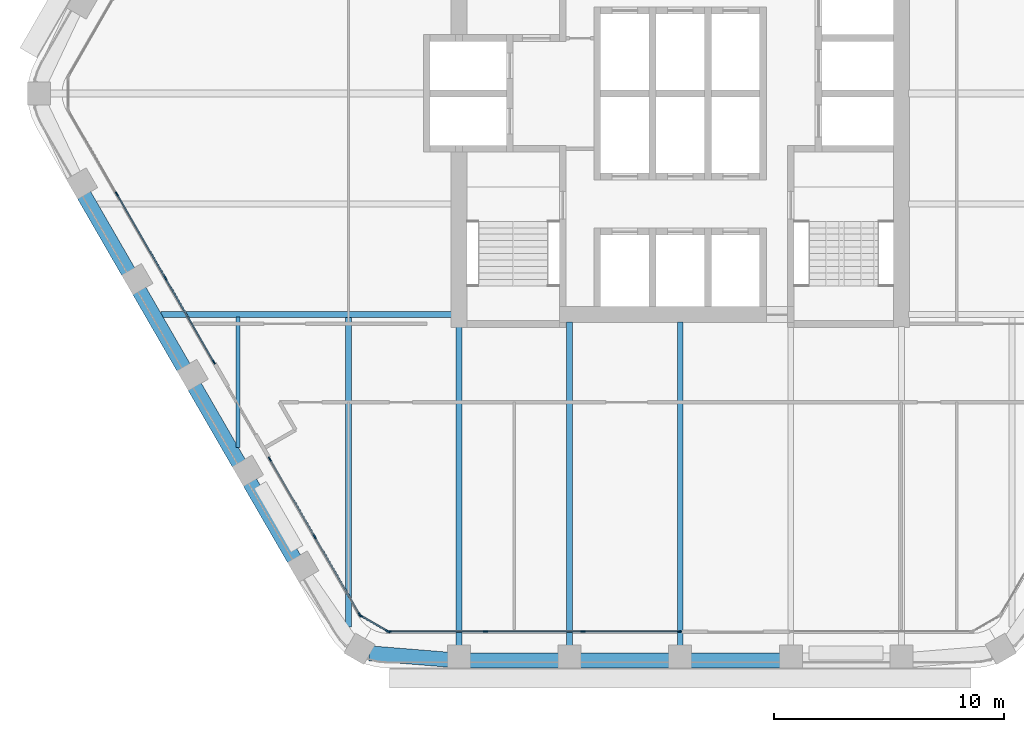
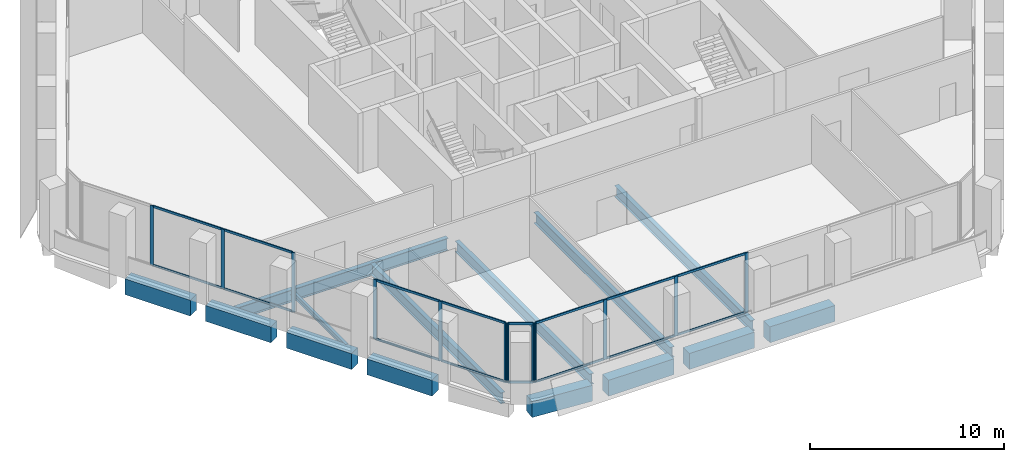
# One storey, part 2 of 15: 28 members, 14 beams, 4 elements without a shape of their own.
"""IFC4 building model written with IfcOpenShell, lengths in metres."""

from ifc_helpers import new_model, si_unit, direction, frame, origin, origin_2d, place, context, subcontext, project, spatial, rectangle, i_section, extrude, material, material_profile, profile_set, type_object, element, aggregate, save


model = new_model("IFC4")

# Units and contexts
model_context = context("Model", 3, precision=1e-05, world=origin(), true_north=direction((0.0, 1.0)))
body_context = subcontext(model_context, "Body", "Model", "MODEL_VIEW")
ifc_project = project(units=[si_unit("LENGTHUNIT", "METRE"), si_unit("AREAUNIT", "SQUARE_METRE"), si_unit("VOLUMEUNIT", "CUBIC_METRE"), si_unit("PLANEANGLEUNIT", "RADIAN"), si_unit("MASSUNIT", "GRAM", prefix="KILO")], contexts=[model_context])

# Site, building, storey
site_placement = place(None, origin())
site = spatial("IfcSite", under=ifc_project, at=site_placement, CompositionType="ELEMENT")
building_placement = place(site_placement, origin())
building = spatial("IfcBuilding", under=site, at=building_placement, Name="Kolab Exchange Tower", CompositionType="ELEMENT")
storey_placement = place(building_placement, frame((0.0, 0.0, 154.39990234375)))
storey = spatial("IfcBuildingStorey", under=building, at=storey_placement, Name="L31", CompositionType="ELEMENT", Elevation=154.39990234375)

# Beams
ifc_material_1 = material(Name="Steel S355", Category="steel")
ifc_material_profile_1 = material_profile(ifc_material_1, i_section(OverallWidth=0.1650390625, OverallDepth=0.31005859375, WebThickness=0.005859375, FlangeThickness=0.009765625, at=origin_2d()), Name="W310X39")
ifc_profile_set_1 = profile_set([ifc_material_profile_1], Name="Steel S355")
beam_type_1 = type_object("IfcBeamType", Name="FLOOR BEAM W310X39", PredefinedType="BEAM", material=ifc_profile_set_1)
beam_1_placement = place(storey_placement, frame((-19.199951171875, -15.36767578125, -0.304931640625), z_axis=(0.0, 1.0, 0.0), x_axis=(-1.0, 0.0, 0.0)))
element("IfcBeam", 1, at=beam_1_placement, inside=storey, type_object=beam_type_1, Name="beam/L31/fr/003", PredefinedType="BEAM", context=body_context, shape_type="SweptSolid", body=[
    extrude(i_section(OverallWidth=0.1650390625, OverallDepth=0.31005859375, WebThickness=0.005859375, FlangeThickness=0.009765625, at=origin_2d()), origin(), (0.0, 0.0, 1.0), 5.674072265625),
])
ifc_material_profile_2 = material_profile(ifc_material_1, i_section(OverallWidth=0.25390625, OverallDepth=0.68408203125, WebThickness=0.012451171875, FlangeThickness=0.018798828125, at=origin_2d()), Name="W690X140")
ifc_profile_set_2 = profile_set([ifc_material_profile_2], Name="Steel S355")
beam_type_2 = type_object("IfcBeamType", Name="FLOOR BEAM W690X140", PredefinedType="BEAM", material=ifc_profile_set_2)
beam_2_placement = place(storey_placement, frame((-14.39990234375, -23.15576171875, -0.491943359375), z_axis=(0.0, 1.0, 0.0), x_axis=(-1.0, 0.0, 0.0)))
element("IfcBeam", 2, at=beam_2_placement, inside=storey, type_object=beam_type_2, Name="beam/L31/fr/005", PredefinedType="BEAM", context=body_context, shape_type="SweptSolid", body=[
    extrude(i_section(OverallWidth=0.25390625, OverallDepth=0.68408203125, WebThickness=0.012451171875, FlangeThickness=0.018798828125, at=origin_2d()), origin(), (0.0, 0.0, 1.0), 13.462158203125),
])
beam_3_placement = place(storey_placement, frame((-9.60009765625, -23.9814453125, -0.491943359375), z_axis=(0.0, 1.0, 0.0), x_axis=(-1.0, 0.0, 0.0)))
element("IfcBeam", 3, at=beam_3_placement, inside=storey, type_object=beam_type_2, Name="beam/L31/fr/007", PredefinedType="BEAM", context=body_context, shape_type="SweptSolid", body=[
    extrude(i_section(OverallWidth=0.25390625, OverallDepth=0.68408203125, WebThickness=0.012451171875, FlangeThickness=0.018798828125, at=origin_2d()), origin(), (0.0, 0.0, 1.0), 13.871337890625),
])
for number, where, z_axis, x_axis, name in (
    (4, (-4.800048828125, -23.9814453125, -0.491943359375), (0.0, 1.0, 0.0), (-1.0, 0.0, 0.0), "beam/L31/fr/009"),
    (5, (0.0, -23.9814453125, -0.491943359375), (0.0, 1.0, 0.0), (-1.0, 0.0, 0.0), "beam/L31/fr/011"),
):
    element("IfcBeam", number, at=place(storey_placement, frame(where, z_axis=z_axis, x_axis=x_axis)), inside=storey, type_object=beam_type_2, Name=name, PredefinedType="BEAM", context=body_context, shape_type="SweptSolid", body=[
        extrude(i_section(OverallWidth=0.25390625, OverallDepth=0.68408203125, WebThickness=0.012451171875, FlangeThickness=0.018798828125, at=origin_2d()), origin(), (0.0, 0.0, 1.0), 14.071533203125),
    ])
ifc_material_profile_3 = material_profile(ifc_material_1, i_section(OverallWidth=0.26708984375, OverallDepth=0.761962890625, WebThickness=0.014404296875, FlangeThickness=0.021484375, at=origin_2d()), Name="W760X173")
ifc_profile_set_3 = profile_set([ifc_material_profile_3], Name="Steel S355")
beam_type_3 = type_object("IfcBeamType", Name="FLOOR GIRDER W760X173", PredefinedType="BEAM", material=ifc_profile_set_3)
beam_4_placement = place(storey_placement, frame((-22.546875, -9.60009765625, -0.531005859375), z_axis=(1.0, 0.0, 0.0), x_axis=(0.0, 1.0, 0.0)))
element("IfcBeam", 6, at=beam_4_placement, inside=storey, type_object=beam_type_3, Name="beam/L31/gd/000", PredefinedType="BEAM", context=body_context, shape_type="SweptSolid", body=[
    extrude(i_section(OverallWidth=0.26708984375, OverallDepth=0.761962890625, WebThickness=0.014404296875, FlangeThickness=0.021484375, at=origin_2d()), origin(), (0.0, 0.0, 1.0), 12.636962890625),
])
ifc_material_2 = material(Name="Concrete C60/75", Category="concrete")
ifc_material_profile_4 = material_profile(ifc_material_2, rectangle(XDim=0.64990234375, YDim=1.0, at=origin_2d()), Name="RC650X1000")
ifc_profile_set_4 = profile_set([ifc_material_profile_4], Name="Concrete C60/75")
beam_type_4 = type_object("IfcBeamType", Name="SPANDREL BEAM 650X1000 C60/75", PredefinedType="BEAM", material=ifc_profile_set_4)
for number, where, z_axis, x_axis, name in (
    (7, (4.340087890625, -24.616455078125, -0.64990234375), (-1.0, 0.0, 0.0), (0.0, -1.0, 0.0), "beam/L31/sp/F4-03"),
    (8, (-0.4599609375, -24.616455078125, -0.64990234375), (-1.0, 0.0, 0.0), (0.0, -1.0, 0.0), "beam/L31/sp/F4-04"),
):
    element("IfcBeam", number, at=place(storey_placement, frame(where, z_axis=z_axis, x_axis=x_axis)), inside=storey, type_object=beam_type_4, Name=name, PredefinedType="BEAM", context=body_context, shape_type="SweptSolid", body=[
        extrude(rectangle(XDim=0.64990234375, YDim=1.0, at=origin_2d()), origin(), (0.0, 0.0, 1.0), 3.880126953125),
    ])
beam_5_placement = place(storey_placement, frame((-5.260009765625, -24.616455078125, -0.64990234375), z_axis=(-1.0, 0.0, 0.0), x_axis=(0.0, -1.0, 0.0)))
element("IfcBeam", 9, at=beam_5_placement, inside=storey, type_object=beam_type_4, Name="beam/L31/sp/F4-05", PredefinedType="BEAM", context=body_context, shape_type="SweptSolid", body=[
    extrude(rectangle(XDim=0.64990234375, YDim=1.0, at=origin_2d()), origin(), (0.0, 0.0, 1.0), 3.8798828125),
])
beam_6_placement = place(storey_placement, frame((-10.06005859375, -24.5791015625, -0.64990234375), z_axis=(-0.996708497182, 0.081068931445, 0.0), x_axis=(-0.081068931445, -0.996708497182, 0.0)))
element("IfcBeam", 10, at=beam_6_placement, inside=storey, type_object=beam_type_4, Name="beam/L31/sp/F4-06", PredefinedType="BEAM", context=body_context, shape_type="SweptSolid", body=[
    extrude(rectangle(XDim=0.64990234375, YDim=1.0, at=origin_2d()), origin(), (0.0, 0.0, 1.0), 3.445068359375),
])
beam_7_placement = place(storey_placement, frame((-16.74853515625, -20.2236328125, -0.64990234375), z_axis=(-0.499996613652, 0.866027358884, 0.0), x_axis=(-0.866027358884, -0.499996613652, 0.0)))
element("IfcBeam", 11, at=beam_7_placement, inside=storey, type_object=beam_type_4, Name="beam/L31/sp/F5-02", PredefinedType="BEAM", context=body_context, shape_type="SweptSolid", body=[
    extrude(rectangle(XDim=0.64990234375, YDim=1.0, at=origin_2d()), origin(), (0.0, 0.0, 1.0), 3.8798828125),
])
beam_8_placement = place(storey_placement, frame((-19.1484375, -16.06689453125, -0.64990234375), z_axis=(-0.50001655835, 0.866015843605, 0.0), x_axis=(-0.866015843605, -0.50001655835, 0.0)))
element("IfcBeam", 12, at=beam_8_placement, inside=storey, type_object=beam_type_4, Name="beam/L31/sp/F5-03", PredefinedType="BEAM", context=body_context, shape_type="SweptSolid", body=[
    extrude(rectangle(XDim=0.64990234375, YDim=1.0, at=origin_2d()), origin(), (0.0, 0.0, 1.0), 3.880126953125),
])
for number, where, z_axis, x_axis, name in (
    (13, (-21.548583984375, -11.909912109375, -0.64990234375), (-0.499996613652, 0.866027358884, 0.0), (-0.866027358884, -0.499996613652, 0.0), "beam/L31/sp/F5-04"),
    (14, (-23.948486328125, -7.7529296875, -0.64990234375), (-0.499996613652, 0.866027358884, 0.0), (-0.866027358884, -0.499996613652, 0.0), "beam/L31/sp/F5-05"),
):
    element("IfcBeam", number, at=place(storey_placement, frame(where, z_axis=z_axis, x_axis=x_axis)), inside=storey, type_object=beam_type_4, Name=name, PredefinedType="BEAM", context=body_context, shape_type="SweptSolid", body=[
        extrude(rectangle(XDim=0.64990234375, YDim=1.0, at=origin_2d()), origin(), (0.0, 0.0, 1.0), 3.8798828125),
    ])

# Curtain wall, members
ifc_material_3 = material(Name="Aluminium EN AW-6063 T6", Category="aluminium")
curtain_wall_type = type_object("IfcCurtainWallType", Name="UNITISED UPPER MID ZONE CURTAIN WALL", PredefinedType="NOTDEFINED", material=ifc_material_3)
curtain_wall_1_placement = place(storey_placement, origin())
curtain_wall_1 = element("IfcCurtainWall", 15, at=curtain_wall_1_placement, inside=storey, type_object=curtain_wall_type, Name="cw/L31/F4-2", PredefinedType="NOTDEFINED")
ifc_material_profile_5 = material_profile(ifc_material_3, rectangle(XDim=0.06005859375, YDim=0.199951171875, at=origin_2d()), Name="RECT 60X200")
ifc_profile_set_5 = profile_set([ifc_material_profile_5], Name="Aluminium EN AW-6063 T6")
member_type_1 = type_object("IfcMemberType", Name="UNITISED UPPER MID ZONE MULLION 60 X 200", PredefinedType="MULLION", material=ifc_profile_set_5)
member_1_placement = place(storey_placement, frame((-0.030029296875, -23.361572265625, 0.0), z_axis=(0.0, 0.0, 1.0), x_axis=(0.0, -1.0, 0.0)))
member_1 = element("IfcMember", 16, at=member_1_placement, type_object=member_type_1, Name="CW3 mullion 1", PredefinedType="MULLION", context=body_context, shape_type="SweptSolid", body=[
    extrude(rectangle(XDim=0.06005859375, YDim=0.199951171875, at=origin_2d()), origin(), (0.0, 0.0, 1.0), 3.75),
])
member_2_placement = place(storey_placement, frame((-4.22265625, -23.361572265625, 0.0), z_axis=(0.0, 0.0, 1.0), x_axis=(0.0, -1.0, 0.0)))
member_2 = element("IfcMember", 17, at=member_2_placement, type_object=member_type_1, Name="CW3 mullion 2", PredefinedType="MULLION", context=body_context, shape_type="SweptSolid", body=[
    extrude(rectangle(XDim=0.06005859375, YDim=0.199951171875, at=origin_2d()), origin(), (0.0, 0.0, 1.0), 3.75),
])
member_3_placement = place(storey_placement, frame((-8.4453125, -23.361572265625, 0.0), z_axis=(0.0, 0.0, 1.0), x_axis=(0.0, -1.0, 0.0)))
member_3 = element("IfcMember", 18, at=member_3_placement, type_object=member_type_1, Name="CW3 mullion 3", PredefinedType="MULLION", context=body_context, shape_type="SweptSolid", body=[
    extrude(rectangle(XDim=0.06005859375, YDim=0.199951171875, at=origin_2d()), origin(), (0.0, 0.0, 1.0), 3.75),
])
member_4_placement = place(storey_placement, frame((-12.637939453125, -23.361572265625, 0.0), z_axis=(0.0, 0.0, 1.0), x_axis=(0.0, -1.0, 0.0)))
member_4 = element("IfcMember", 19, at=member_4_placement, type_object=member_type_1, Name="CW3 mullion 4", PredefinedType="MULLION", context=body_context, shape_type="SweptSolid", body=[
    extrude(rectangle(XDim=0.06005859375, YDim=0.199951171875, at=origin_2d()), origin(), (0.0, 0.0, 1.0), 3.75),
])

curtain_wall_2_placement = place(storey_placement, origin())
curtain_wall_2 = element("IfcCurtainWall", 20, at=curtain_wall_2_placement, inside=storey, type_object=curtain_wall_type, Name="cw/L31/F5-1", PredefinedType="NOTDEFINED")
member_5_placement = place(storey_placement, frame((-13.91259765625, -22.62548828125, 0.0), z_axis=(0.0, 0.0, 1.0), x_axis=(-0.866025385493, -0.500000031681, 0.0)))
member_5 = element("IfcMember", 21, at=member_5_placement, type_object=member_type_1, Name="CW3 mullion 1", PredefinedType="MULLION", context=body_context, shape_type="SweptSolid", body=[
    extrude(rectangle(XDim=0.06005859375, YDim=0.199951171875, at=origin_2d()), origin(), (0.0, 0.0, 1.0), 3.75),
])
member_6_placement = place(storey_placement, frame((-15.86474609375, -19.24462890625, 0.0), z_axis=(0.0, 0.0, 1.0), x_axis=(-0.866025385493, -0.500000031681, 0.0)))
member_6 = element("IfcMember", 22, at=member_6_placement, type_object=member_type_1, Name="CW3 mullion 2", PredefinedType="MULLION", context=body_context, shape_type="SweptSolid", body=[
    extrude(rectangle(XDim=0.06005859375, YDim=0.199951171875, at=origin_2d()), origin(), (0.0, 0.0, 1.0), 3.75),
])
member_7_placement = place(storey_placement, frame((-17.816650390625, -15.86376953125, 0.0), z_axis=(0.0, 0.0, 1.0), x_axis=(-0.866025385493, -0.500000031681, 0.0)))
member_7 = element("IfcMember", 23, at=member_7_placement, type_object=member_type_1, Name="CW3 mullion 3", PredefinedType="MULLION", context=body_context, shape_type="SweptSolid", body=[
    extrude(rectangle(XDim=0.06005859375, YDim=0.199951171875, at=origin_2d()), origin(), (0.0, 0.0, 1.0), 3.75),
])

curtain_wall_3_placement = place(storey_placement, origin())
curtain_wall_3 = element("IfcCurtainWall", 24, at=curtain_wall_3_placement, inside=storey, type_object=curtain_wall_type, Name="cw/L31/F5-2", PredefinedType="NOTDEFINED")
member_8_placement = place(storey_placement, frame((-20.24658203125, -11.65478515625, 0.0), z_axis=(0.0, 0.0, 1.0), x_axis=(-0.866025427826, -0.499999958358, 0.0)))
member_8 = element("IfcMember", 25, at=member_8_placement, type_object=member_type_1, Name="CW3 mullion 1", PredefinedType="MULLION", context=body_context, shape_type="SweptSolid", body=[
    extrude(rectangle(XDim=0.06005859375, YDim=0.199951171875, at=origin_2d()), origin(), (0.0, 0.0, 1.0), 3.75),
])
member_9_placement = place(storey_placement, frame((-22.343017578125, -8.02392578125, 0.0), z_axis=(0.0, 0.0, 1.0), x_axis=(-0.866025427826, -0.499999958358, 0.0)))
member_9 = element("IfcMember", 26, at=member_9_placement, type_object=member_type_1, Name="CW3 mullion 2", PredefinedType="MULLION", context=body_context, shape_type="SweptSolid", body=[
    extrude(rectangle(XDim=0.06005859375, YDim=0.199951171875, at=origin_2d()), origin(), (0.0, 0.0, 1.0), 3.75),
])
member_10_placement = place(storey_placement, frame((-24.454345703125, -4.366943359375, 0.0), z_axis=(0.0, 0.0, 1.0), x_axis=(-0.866025427826, -0.499999958358, 0.0)))
member_10 = element("IfcMember", 27, at=member_10_placement, type_object=member_type_1, Name="CW3 mullion 3", PredefinedType="MULLION", context=body_context, shape_type="SweptSolid", body=[
    extrude(rectangle(XDim=0.06005859375, YDim=0.199951171875, at=origin_2d()), origin(), (0.0, 0.0, 1.0), 3.75),
])

curtain_wall_4_placement = place(storey_placement, origin())
curtain_wall_4 = element("IfcCurtainWall", 28, at=curtain_wall_4_placement, inside=storey, type_object=curtain_wall_type, Name="cw/L31/F4F5-corner", PredefinedType="NOTDEFINED")
member_11_placement = place(storey_placement, frame((-12.69384765625, -23.346435546875, 0.0), z_axis=(0.0, 0.0, 1.0), x_axis=(-0.50000002237, -0.866025390869, 0.0)))
member_11 = element("IfcMember", 29, at=member_11_placement, type_object=member_type_1, Name="CW3 mullion 1", PredefinedType="MULLION", context=body_context, shape_type="SweptSolid", body=[
    extrude(rectangle(XDim=0.06005859375, YDim=0.199951171875, at=origin_2d()), origin(), (0.0, 0.0, 1.0), 3.75),
])
member_12_placement = place(storey_placement, frame((-13.871826171875, -22.66650390625, 0.0), z_axis=(0.0, 0.0, 1.0), x_axis=(-0.50000002237, -0.866025390869, 0.0)))
member_12 = element("IfcMember", 30, at=member_12_placement, type_object=member_type_1, Name="CW3 mullion 2", PredefinedType="MULLION", context=body_context, shape_type="SweptSolid", body=[
    extrude(rectangle(XDim=0.06005859375, YDim=0.199951171875, at=origin_2d()), origin(), (0.0, 0.0, 1.0), 3.75),
])

# Member
ifc_material_profile_6 = material_profile(ifc_material_3, rectangle(XDim=0.06005859375, YDim=0.139892578125, at=origin_2d()), Name="RECT 60X140")
ifc_profile_set_6 = profile_set([ifc_material_profile_6], Name="Aluminium EN AW-6063 T6")
member_type_2 = type_object("IfcMemberType", Name="UNITISED UPPER MID ZONE TRANSOM 60 X 140", PredefinedType="USERDEFINED", material=ifc_profile_set_6)
member_13_placement = place(storey_placement, frame((-0.06005859375, -23.361572265625, 0.030029296875), z_axis=(-1.0, 0.0, 0.0), x_axis=(0.0, -1.0, 0.0)))
member_13 = element("IfcMember", 31, at=member_13_placement, type_object=member_type_2, Name="CW3 transom 1.1", ObjectType="TRANSOM", PredefinedType="USERDEFINED", context=body_context, shape_type="SweptSolid", body=[
    extrude(rectangle(XDim=0.06005859375, YDim=0.139892578125, at=origin_2d()), origin(), (0.0, 0.0, 1.0), 4.132568359375),
])

member_14_placement = place(storey_placement, frame((-0.06005859375, -23.361572265625, 3.72021484375), z_axis=(-1.0, 0.0, 0.0), x_axis=(0.0, -1.0, 0.0)))
member_14 = element("IfcMember", 32, at=member_14_placement, type_object=member_type_2, Name="CW3 transom 1.2", ObjectType="TRANSOM", PredefinedType="USERDEFINED", context=body_context, shape_type="SweptSolid", body=[
    extrude(rectangle(XDim=0.06005859375, YDim=0.139892578125, at=origin_2d()), origin(), (0.0, 0.0, 1.0), 4.132568359375),
])

member_15_placement = place(storey_placement, frame((-4.252685546875, -23.361572265625, 0.030029296875), z_axis=(-1.0, 0.0, 0.0), x_axis=(0.0, -1.0, 0.0)))
member_15 = element("IfcMember", 33, at=member_15_placement, type_object=member_type_2, Name="CW3 transom 2.1", ObjectType="TRANSOM", PredefinedType="USERDEFINED", context=body_context, shape_type="SweptSolid", body=[
    extrude(rectangle(XDim=0.06005859375, YDim=0.139892578125, at=origin_2d()), origin(), (0.0, 0.0, 1.0), 4.16259765625),
])

member_16_placement = place(storey_placement, frame((-4.252685546875, -23.361572265625, 3.72021484375), z_axis=(-1.0, 0.0, 0.0), x_axis=(0.0, -1.0, 0.0)))
member_16 = element("IfcMember", 34, at=member_16_placement, type_object=member_type_2, Name="CW3 transom 2.2", ObjectType="TRANSOM", PredefinedType="USERDEFINED", context=body_context, shape_type="SweptSolid", body=[
    extrude(rectangle(XDim=0.06005859375, YDim=0.139892578125, at=origin_2d()), origin(), (0.0, 0.0, 1.0), 4.16259765625),
])

member_17_placement = place(storey_placement, frame((-8.475341796875, -23.361572265625, 0.030029296875), z_axis=(-1.0, 0.0, 0.0), x_axis=(0.0, -1.0, 0.0)))
member_17 = element("IfcMember", 35, at=member_17_placement, type_object=member_type_2, Name="CW3 transom 3.1", ObjectType="TRANSOM", PredefinedType="USERDEFINED", context=body_context, shape_type="SweptSolid", body=[
    extrude(rectangle(XDim=0.06005859375, YDim=0.139892578125, at=origin_2d()), origin(), (0.0, 0.0, 1.0), 4.132568359375),
])

member_18_placement = place(storey_placement, frame((-8.475341796875, -23.361572265625, 3.72021484375), z_axis=(-1.0, 0.0, 0.0), x_axis=(0.0, -1.0, 0.0)))
member_18 = element("IfcMember", 36, at=member_18_placement, type_object=member_type_2, Name="CW3 transom 3.2", ObjectType="TRANSOM", PredefinedType="USERDEFINED", context=body_context, shape_type="SweptSolid", body=[
    extrude(rectangle(XDim=0.06005859375, YDim=0.139892578125, at=origin_2d()), origin(), (0.0, 0.0, 1.0), 4.132568359375),
])

aggregate(curtain_wall_1, [member_1, member_2, member_3, member_4, member_13, member_14, member_15, member_16, member_17, member_18])

member_19_placement = place(storey_placement, frame((-13.927734375, -22.599609375, 0.030029296875), z_axis=(-0.499964356602, 0.866045981532, 0.0), x_axis=(-0.866045981532, -0.499964356602, 0.0)))
member_19 = element("IfcMember", 37, at=member_19_placement, type_object=member_type_2, Name="CW3 transom 1.1", ObjectType="TRANSOM", PredefinedType="USERDEFINED", context=body_context, shape_type="SweptSolid", body=[
    extrude(rectangle(XDim=0.06005859375, YDim=0.139892578125, at=origin_2d()), origin(), (0.0, 0.0, 1.0), 3.843994140625),
])

member_20_placement = place(storey_placement, frame((-13.927734375, -22.599609375, 3.72021484375), z_axis=(-0.499964356602, 0.866045981532, 0.0), x_axis=(-0.866045981532, -0.499964356602, 0.0)))
member_20 = element("IfcMember", 38, at=member_20_placement, type_object=member_type_2, Name="CW3 transom 1.2", ObjectType="TRANSOM", PredefinedType="USERDEFINED", context=body_context, shape_type="SweptSolid", body=[
    extrude(rectangle(XDim=0.06005859375, YDim=0.139892578125, at=origin_2d()), origin(), (0.0, 0.0, 1.0), 3.843994140625),
])

member_21_placement = place(storey_placement, frame((-15.879638671875, -19.21875, 0.030029296875), z_axis=(-0.500011990396, 0.866018481016, 0.0), x_axis=(-0.866018481016, -0.500011990396, 0.0)))
member_21 = element("IfcMember", 39, at=member_21_placement, type_object=member_type_2, Name="CW3 transom 2.1", ObjectType="TRANSOM", PredefinedType="USERDEFINED", context=body_context, shape_type="SweptSolid", body=[
    extrude(rectangle(XDim=0.06005859375, YDim=0.139892578125, at=origin_2d()), origin(), (0.0, 0.0, 1.0), 3.84423828125),
])

member_22_placement = place(storey_placement, frame((-15.879638671875, -19.21875, 3.72021484375), z_axis=(-0.500011990396, 0.866018481016, 0.0), x_axis=(-0.866018481016, -0.500011990396, 0.0)))
member_22 = element("IfcMember", 40, at=member_22_placement, type_object=member_type_2, Name="CW3 transom 2.2", ObjectType="TRANSOM", PredefinedType="USERDEFINED", context=body_context, shape_type="SweptSolid", body=[
    extrude(rectangle(XDim=0.06005859375, YDim=0.139892578125, at=origin_2d()), origin(), (0.0, 0.0, 1.0), 3.84423828125),
])

aggregate(curtain_wall_2, [member_5, member_6, member_7, member_19, member_20, member_21, member_22])

member_23_placement = place(storey_placement, frame((-20.26171875, -11.62890625, 0.030029296875), z_axis=(-0.500001996123, 0.866024251319, 0.0), x_axis=(-0.866024251319, -0.500001996123, 0.0)))
member_23 = element("IfcMember", 41, at=member_23_placement, type_object=member_type_2, Name="CW3 transom 1.1", ObjectType="TRANSOM", PredefinedType="USERDEFINED", context=body_context, shape_type="SweptSolid", body=[
    extrude(rectangle(XDim=0.06005859375, YDim=0.139892578125, at=origin_2d()), origin(), (0.0, 0.0, 1.0), 4.1328125),
])

member_24_placement = place(storey_placement, frame((-20.26171875, -11.62890625, 3.72021484375), z_axis=(-0.500001996123, 0.866024251319, 0.0), x_axis=(-0.866024251319, -0.500001996123, 0.0)))
member_24 = element("IfcMember", 42, at=member_24_placement, type_object=member_type_2, Name="CW3 transom 1.2", ObjectType="TRANSOM", PredefinedType="USERDEFINED", context=body_context, shape_type="SweptSolid", body=[
    extrude(rectangle(XDim=0.06005859375, YDim=0.139892578125, at=origin_2d()), origin(), (0.0, 0.0, 1.0), 4.1328125),
])

member_25_placement = place(storey_placement, frame((-22.35791015625, -7.997802734375, 0.030029296875), z_axis=(-0.49999322259, 0.866029316688, 0.0), x_axis=(-0.866029316688, -0.49999322259, 0.0)))
member_25 = element("IfcMember", 43, at=member_25_placement, type_object=member_type_2, Name="CW3 transom 2.1", ObjectType="TRANSOM", PredefinedType="USERDEFINED", context=body_context, shape_type="SweptSolid", body=[
    extrude(rectangle(XDim=0.06005859375, YDim=0.139892578125, at=origin_2d()), origin(), (0.0, 0.0, 1.0), 4.16259765625),
])

member_26_placement = place(storey_placement, frame((-22.35791015625, -7.997802734375, 3.72021484375), z_axis=(-0.49999322259, 0.866029316688, 0.0), x_axis=(-0.866029316688, -0.49999322259, 0.0)))
member_26 = element("IfcMember", 44, at=member_26_placement, type_object=member_type_2, Name="CW3 transom 2.2", ObjectType="TRANSOM", PredefinedType="USERDEFINED", context=body_context, shape_type="SweptSolid", body=[
    extrude(rectangle(XDim=0.06005859375, YDim=0.139892578125, at=origin_2d()), origin(), (0.0, 0.0, 1.0), 4.16259765625),
])

aggregate(curtain_wall_3, [member_8, member_9, member_10, member_23, member_24, member_25, member_26])

member_27_placement = place(storey_placement, frame((-12.719970703125, -23.33154296875, 0.030029296875), z_axis=(-0.86603858612, 0.49997716683, 0.0), x_axis=(-0.49997716683, -0.86603858612, 0.0)))
member_27 = element("IfcMember", 45, at=member_27_placement, type_object=member_type_2, Name="CW3 transom 1.1", ObjectType="TRANSOM", PredefinedType="USERDEFINED", context=body_context, shape_type="SweptSolid", body=[
    extrude(rectangle(XDim=0.06005859375, YDim=0.139892578125, at=origin_2d()), origin(), (0.0, 0.0, 1.0), 1.2998046875),
])

member_28_placement = place(storey_placement, frame((-12.719970703125, -23.33154296875, 3.72021484375), z_axis=(-0.86603858612, 0.49997716683, 0.0), x_axis=(-0.49997716683, -0.86603858612, 0.0)))
member_28 = element("IfcMember", 46, at=member_28_placement, type_object=member_type_2, Name="CW3 transom 1.2", ObjectType="TRANSOM", PredefinedType="USERDEFINED", context=body_context, shape_type="SweptSolid", body=[
    extrude(rectangle(XDim=0.06005859375, YDim=0.139892578125, at=origin_2d()), origin(), (0.0, 0.0, 1.0), 1.2998046875),
])

aggregate(curtain_wall_4, [member_11, member_12, member_27, member_28])

save(model, "model.ifc")
